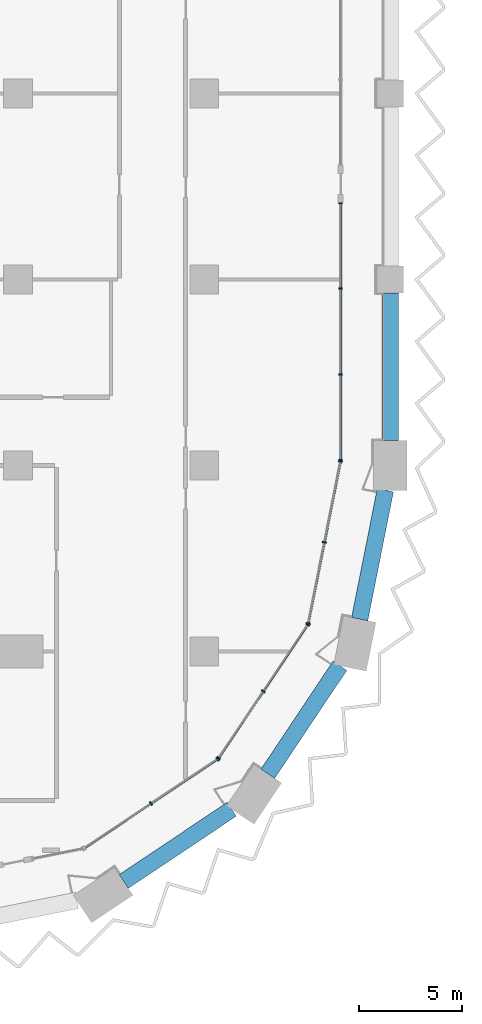
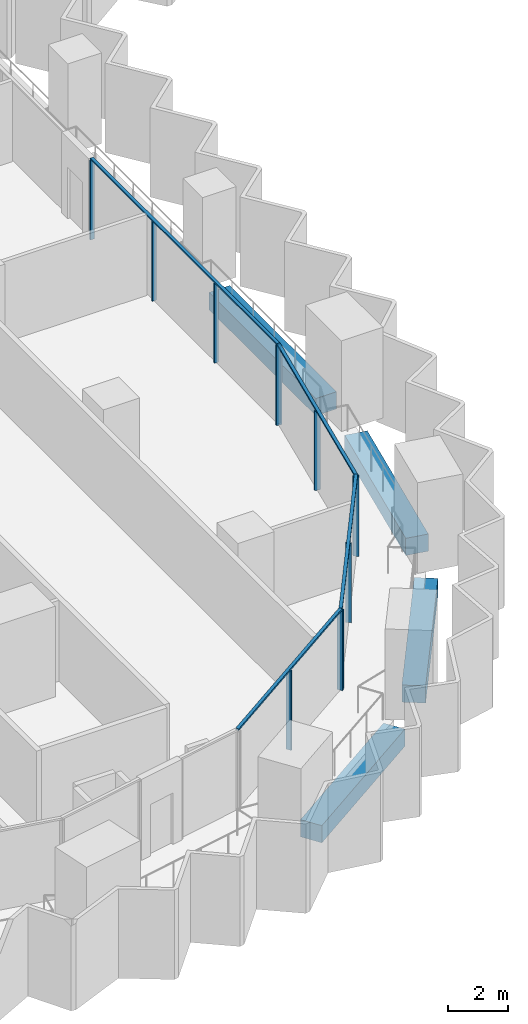
# One storey, part 3 of 28: 16 members, 4 beams, 4 elements without a shape of their own.
"""IFC4 building model written with IfcOpenShell, lengths in metres."""

from ifc_helpers import new_model, si_unit, direction, frame, origin, origin_2d, place, context, subcontext, project, spatial, rectangle, extrude, material, material_profile, profile_set, type_object, element, aggregate, save


model = new_model("IFC4")

# Units and contexts
model_context = context("Model", 3, precision=1e-05, world=origin(), true_north=direction((0.0, 1.0)))
body_context = subcontext(model_context, "Body", "Model", "MODEL_VIEW")
ifc_project = project(units=[si_unit("LENGTHUNIT", "METRE"), si_unit("AREAUNIT", "SQUARE_METRE"), si_unit("VOLUMEUNIT", "CUBIC_METRE"), si_unit("PLANEANGLEUNIT", "RADIAN"), si_unit("MASSUNIT", "GRAM", prefix="KILO")], contexts=[model_context])

# Site, building, storey
site_placement = place(None, origin())
site = spatial("IfcSite", under=ifc_project, at=site_placement, CompositionType="ELEMENT")
building_placement = place(site_placement, origin())
building = spatial("IfcBuilding", under=site, at=building_placement, Name="Hunhe Ridgeline Campus", CompositionType="ELEMENT")
storey_placement = place(building_placement, frame((0.0, 0.0, 58.0)))
storey = spatial("IfcBuildingStorey", under=building, at=storey_placement, Name="L13", CompositionType="ELEMENT", Elevation=58.0)

# Curtain wall, members
ifc_material_1 = material(Name="Aluminium 6063", Category="aluminium")
curtain_wall_type_1 = type_object("IfcCurtainWallType", Name="Curtain wall CW-1", PredefinedType="NOTDEFINED", material=ifc_material_1)
curtain_wall_1_placement = place(storey_placement, origin())
curtain_wall_1 = element("IfcCurtainWall", 1, at=curtain_wall_1_placement, inside=storey, type_object=curtain_wall_type_1, Name="Curtain wall 11", PredefinedType="NOTDEFINED")
ifc_material_profile_1 = material_profile(ifc_material_1, rectangle(XDim=0.159912109375, YDim=0.06005859375, at=origin_2d()))
ifc_profile_set_1 = profile_set([ifc_material_profile_1], Name="Aluminium 6063")
member_type_1 = type_object("IfcMemberType", Name="CW-1 aluminium mullion", PredefinedType="MULLION", material=ifc_profile_set_1)
member_1_placement = place(storey_placement, frame((42.59912109375, 27.266357421875, 0.0), z_axis=(0.0, 0.0, 1.0), x_axis=(-1.0, 1.60239e-07, 0.0)))
member_1 = element("IfcMember", 2, at=member_1_placement, type_object=member_type_1, Name="CW-1 mullion 1", PredefinedType="MULLION", context=body_context, shape_type="SweptSolid", body=[
    extrude(rectangle(XDim=0.159912109375, YDim=0.06005859375, at=origin_2d()), origin(), (0.0, 0.0, 1.0), 3.239990234375),
])
member_2_placement = place(storey_placement, frame((42.59912109375, 31.39697265625, 0.0), z_axis=(0.0, 0.0, 1.0), x_axis=(-1.0, 1.60239e-07, 0.0)))
member_2 = element("IfcMember", 3, at=member_2_placement, type_object=member_type_1, Name="CW-1 mullion 2", PredefinedType="MULLION", context=body_context, shape_type="SweptSolid", body=[
    extrude(rectangle(XDim=0.159912109375, YDim=0.06005859375, at=origin_2d()), origin(), (0.0, 0.0, 1.0), 3.239990234375),
])
member_3_placement = place(storey_placement, frame((42.59912109375, 35.5576171875, 0.0), z_axis=(0.0, 0.0, 1.0), x_axis=(-1.0, 1.60239e-07, 0.0)))
member_3 = element("IfcMember", 4, at=member_3_placement, type_object=member_type_1, Name="CW-1 mullion 3", PredefinedType="MULLION", context=body_context, shape_type="SweptSolid", body=[
    extrude(rectangle(XDim=0.159912109375, YDim=0.06005859375, at=origin_2d()), origin(), (0.0, 0.0, 1.0), 3.239990234375),
])
member_4_placement = place(storey_placement, frame((42.59912109375, 39.688232421875, 0.0), z_axis=(0.0, 0.0, 1.0), x_axis=(-1.0, 1.60239e-07, 0.0)))
member_4 = element("IfcMember", 5, at=member_4_placement, type_object=member_type_1, Name="CW-1 mullion 4", PredefinedType="MULLION", context=body_context, shape_type="SweptSolid", body=[
    extrude(rectangle(XDim=0.159912109375, YDim=0.06005859375, at=origin_2d()), origin(), (0.0, 0.0, 1.0), 3.239990234375),
])
ifc_material_profile_2 = material_profile(ifc_material_1, rectangle(XDim=0.1201171875, YDim=0.06005859375, at=origin_2d()))
ifc_profile_set_2 = profile_set([ifc_material_profile_2], Name="Aluminium 6063")
member_type_2 = type_object("IfcMemberType", Name="CW-1 aluminium transom", PredefinedType="USERDEFINED", material=ifc_profile_set_2)
member_5_placement = place(storey_placement, frame((42.59912109375, 27.236572265625, 3.27001953125), z_axis=(0.0, 1.0, 0.0), x_axis=(-1.0, 0.0, 0.0)))
member_5 = element("IfcMember", 6, at=member_5_placement, type_object=member_type_2, Name="CW-1 transom 1", ObjectType="TRANSOM", PredefinedType="USERDEFINED", context=body_context, shape_type="SweptSolid", body=[
    extrude(rectangle(XDim=0.1201171875, YDim=0.06005859375, at=origin_2d()), origin(), (0.0, 0.0, 1.0), 12.481689453125),
])
aggregate(curtain_wall_1, [member_5, member_1, member_2, member_3, member_4])

curtain_wall_type_2 = type_object("IfcCurtainWallType", Name="Curtain wall CW-5", PredefinedType="NOTDEFINED", material=ifc_material_1)
curtain_wall_2_placement = place(storey_placement, origin())
curtain_wall_2 = element("IfcCurtainWall", 7, at=curtain_wall_2_placement, inside=storey, type_object=curtain_wall_type_2, Name="Curtain wall 08", PredefinedType="NOTDEFINED")
ifc_material_profile_3 = material_profile(ifc_material_1, rectangle(XDim=0.199951171875, YDim=0.070068359375, at=origin_2d()))
ifc_profile_set_3 = profile_set([ifc_material_profile_3], Name="Aluminium 6063")
member_type_3 = type_object("IfcMemberType", Name="CW-5 aluminium mullion", PredefinedType="MULLION", material=ifc_profile_set_3)
member_6_placement = place(storey_placement, frame((33.42626953125, 10.647705078125, 0.0), z_axis=(0.0, 0.0, 1.0), x_axis=(-0.555570274596, 0.831469584522, 0.0)))
member_6 = element("IfcMember", 8, at=member_6_placement, type_object=member_type_3, Name="CW-5 mullion 2", PredefinedType="MULLION", context=body_context, shape_type="SweptSolid", body=[
    extrude(rectangle(XDim=0.199951171875, YDim=0.070068359375, at=origin_2d()), origin(), (0.0, 0.0, 1.0), 3.22998046875),
])
member_7_placement = place(storey_placement, frame((36.649658203125, 12.8017578125, 0.0), z_axis=(0.0, 0.0, 1.0), x_axis=(-0.555570274596, 0.831469584522, 0.0)))
member_7 = element("IfcMember", 9, at=member_7_placement, type_object=member_type_3, Name="CW-5 mullion 3", PredefinedType="MULLION", context=body_context, shape_type="SweptSolid", body=[
    extrude(rectangle(XDim=0.199951171875, YDim=0.070068359375, at=origin_2d()), origin(), (0.0, 0.0, 1.0), 3.22998046875),
])

curtain_wall_3_placement = place(storey_placement, origin())
curtain_wall_3 = element("IfcCurtainWall", 10, at=curtain_wall_3_placement, inside=storey, type_object=curtain_wall_type_2, Name="Curtain wall 09", PredefinedType="NOTDEFINED")
member_8_placement = place(storey_placement, frame((36.6982421875, 12.850341796875, 0.0), z_axis=(0.0, 0.0, 1.0), x_axis=(-0.831469584522, 0.555570274596, 0.0)))
member_8 = element("IfcMember", 11, at=member_8_placement, type_object=member_type_3, Name="CW-5 mullion 1", PredefinedType="MULLION", context=body_context, shape_type="SweptSolid", body=[
    extrude(rectangle(XDim=0.199951171875, YDim=0.070068359375, at=origin_2d()), origin(), (0.0, 0.0, 1.0), 3.22998046875),
])
member_9_placement = place(storey_placement, frame((38.852294921875, 16.07373046875, 0.0), z_axis=(0.0, 0.0, 1.0), x_axis=(-0.831469584522, 0.555570274596, 0.0)))
member_9 = element("IfcMember", 12, at=member_9_placement, type_object=member_type_3, Name="CW-5 mullion 2", PredefinedType="MULLION", context=body_context, shape_type="SweptSolid", body=[
    extrude(rectangle(XDim=0.199951171875, YDim=0.070068359375, at=origin_2d()), origin(), (0.0, 0.0, 1.0), 3.22998046875),
])
member_10_placement = place(storey_placement, frame((41.006103515625, 19.29736328125, 0.0), z_axis=(0.0, 0.0, 1.0), x_axis=(-0.831469584522, 0.555570274596, 0.0)))
member_10 = element("IfcMember", 13, at=member_10_placement, type_object=member_type_3, Name="CW-5 mullion 3", PredefinedType="MULLION", context=body_context, shape_type="SweptSolid", body=[
    extrude(rectangle(XDim=0.199951171875, YDim=0.070068359375, at=origin_2d()), origin(), (0.0, 0.0, 1.0), 3.22998046875),
])

curtain_wall_4_placement = place(storey_placement, origin())
curtain_wall_4 = element("IfcCurtainWall", 14, at=curtain_wall_4_placement, inside=storey, type_object=curtain_wall_type_2, Name="Curtain wall 10", PredefinedType="NOTDEFINED")
member_11_placement = place(storey_placement, frame((41.032470703125, 19.36083984375, 0.0), z_axis=(0.0, 0.0, 1.0), x_axis=(-0.980785284939, 0.195090299215, 0.0)))
member_11 = element("IfcMember", 15, at=member_11_placement, type_object=member_type_3, Name="CW-5 mullion 1", PredefinedType="MULLION", context=body_context, shape_type="SweptSolid", body=[
    extrude(rectangle(XDim=0.199951171875, YDim=0.070068359375, at=origin_2d()), origin(), (0.0, 0.0, 1.0), 3.22998046875),
])
member_12_placement = place(storey_placement, frame((41.812255859375, 23.281494140625, 0.0), z_axis=(0.0, 0.0, 1.0), x_axis=(-0.980785284939, 0.195090299215, 0.0)))
member_12 = element("IfcMember", 16, at=member_12_placement, type_object=member_type_3, Name="CW-5 mullion 2", PredefinedType="MULLION", context=body_context, shape_type="SweptSolid", body=[
    extrude(rectangle(XDim=0.199951171875, YDim=0.070068359375, at=origin_2d()), origin(), (0.0, 0.0, 1.0), 3.22998046875),
])
member_13_placement = place(storey_placement, frame((42.59228515625, 27.2021484375, 0.0), z_axis=(0.0, 0.0, 1.0), x_axis=(-0.980785284939, 0.195090299215, 0.0)))
member_13 = element("IfcMember", 17, at=member_13_placement, type_object=member_type_3, Name="CW-5 mullion 3", PredefinedType="MULLION", context=body_context, shape_type="SweptSolid", body=[
    extrude(rectangle(XDim=0.199951171875, YDim=0.070068359375, at=origin_2d()), origin(), (0.0, 0.0, 1.0), 3.22998046875),
])

# Member
ifc_material_profile_4 = material_profile(ifc_material_1, rectangle(XDim=0.1201171875, YDim=0.070068359375, at=origin_2d()))
ifc_profile_set_4 = profile_set([ifc_material_profile_4], Name="Aluminium 6063")
member_type_4 = type_object("IfcMemberType", Name="CW-5 aluminium transom", PredefinedType="USERDEFINED", material=ifc_profile_set_4)
member_14_placement = place(storey_placement, frame((30.173583984375, 8.474365234375, 3.264892578125), z_axis=(0.831473763475, 0.5555640203, 0.0), x_axis=(-0.5555640203, 0.831473763475, 0.0)))
member_14 = element("IfcMember", 18, at=member_14_placement, type_object=member_type_4, Name="CW-5 transom 1", ObjectType="TRANSOM", PredefinedType="USERDEFINED", context=body_context, shape_type="SweptSolid", body=[
    extrude(rectangle(XDim=0.1201171875, YDim=0.070068359375, at=origin_2d()), origin(), (0.0, 0.0, 1.0), 7.823974609375),
])

aggregate(curtain_wall_2, [member_14, member_6, member_7])

member_15_placement = place(storey_placement, frame((36.678955078125, 12.821044921875, 3.264892578125), z_axis=(0.5555640203, 0.831473763475, 0.0), x_axis=(-0.831473763475, 0.5555640203, 0.0)))
member_15 = element("IfcMember", 19, at=member_15_placement, type_object=member_type_4, Name="CW-5 transom 1", ObjectType="TRANSOM", PredefinedType="USERDEFINED", context=body_context, shape_type="SweptSolid", body=[
    extrude(rectangle(XDim=0.1201171875, YDim=0.070068359375, at=origin_2d()), origin(), (0.0, 0.0, 1.0), 7.823974609375),
])

aggregate(curtain_wall_3, [member_15, member_8, member_9, member_10])

member_16_placement = place(storey_placement, frame((41.025634765625, 19.326416015625, 3.264892578125), z_axis=(0.195097290093, 0.980783894341, 0.0), x_axis=(-0.980783894341, 0.195097290093, 0.0)))
member_16 = element("IfcMember", 20, at=member_16_placement, type_object=member_type_4, Name="CW-5 transom 1", ObjectType="TRANSOM", PredefinedType="USERDEFINED", context=body_context, shape_type="SweptSolid", body=[
    extrude(rectangle(XDim=0.1201171875, YDim=0.070068359375, at=origin_2d()), origin(), (0.0, 0.0, 1.0), 8.065185546875),
])

aggregate(curtain_wall_4, [member_16, member_11, member_12, member_13])

# Beams
ifc_material_2 = material(Name="Concrete C60", Category="concrete")
ifc_material_profile_5 = material_profile(ifc_material_2, rectangle(XDim=0.800048828125, YDim=0.699951171875, at=origin_2d()))
ifc_profile_set_5 = profile_set([ifc_material_profile_5], Name="Concrete C60")
beam_type = type_object("IfcBeamType", Name="RC spandrel beam 800x700 Concrete C60", PredefinedType="SPANDREL", material=ifc_profile_set_5)
for number, where, z_axis, x_axis, name in (
    (21, (32.108154296875, 6.87939453125, -0.60009765625), (0.831469696846, 0.555570106491, 0.0), (-0.555570106491, 0.831469696846, 0.0), "Spandrel beam B1-6 L13"),
    (22, (39.07666015625, 12.087890625, -0.60009765625), (0.555570106491, 0.831469696846, 0.0), (-0.831469696846, 0.555570106491, 0.0), "Spandrel beam B1-7 L13"),
):
    element("IfcBeam", number, at=place(storey_placement, frame(where, z_axis=z_axis, x_axis=x_axis)), inside=storey, type_object=beam_type, Name=name, PredefinedType="SPANDREL", context=body_context, shape_type="SweptSolid", body=[
        extrude(rectangle(XDim=0.800048828125, YDim=0.699951171875, at=origin_2d()), origin(), (0.0, 0.0, 1.0), 6.280029296875),
    ])
beam_1_placement = place(storey_placement, frame((43.521484375, 19.566650390625, -0.60009765625), z_axis=(0.195067021304, 0.980789914915, 0.0), x_axis=(-0.980789914915, 0.195067021304, 0.0)))
element("IfcBeam", 23, at=beam_1_placement, inside=storey, type_object=beam_type, Name="Spandrel beam B1-8 L13", PredefinedType="SPANDREL", context=body_context, shape_type="SweptSolid", body=[
    extrude(rectangle(XDim=0.800048828125, YDim=0.699951171875, at=origin_2d()), origin(), (0.0, 0.0, 1.0), 6.35546875),
])
beam_2_placement = place(storey_placement, frame((45.0, 28.199951171875, -0.60009765625), z_axis=(0.0, 1.0, 0.0), x_axis=(-1.0, 0.0, 0.0)))
element("IfcBeam", 24, at=beam_2_placement, inside=storey, type_object=beam_type, Name="Spandrel beam B1-9 L13", PredefinedType="SPANDREL", context=body_context, shape_type="SweptSolid", body=[
    extrude(rectangle(XDim=0.800048828125, YDim=0.699951171875, at=origin_2d()), origin(), (0.0, 0.0, 1.0), 7.150146484375),
])

save(model, "model.ifc")
